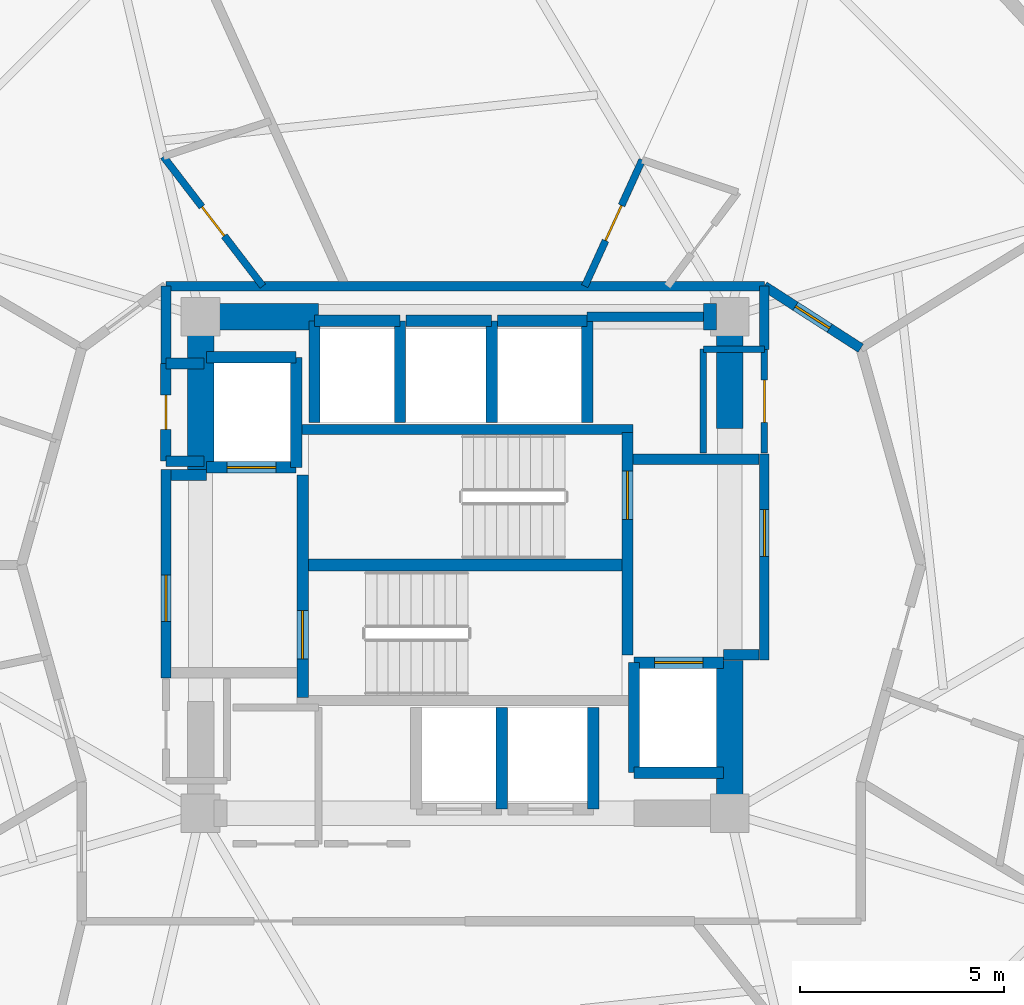
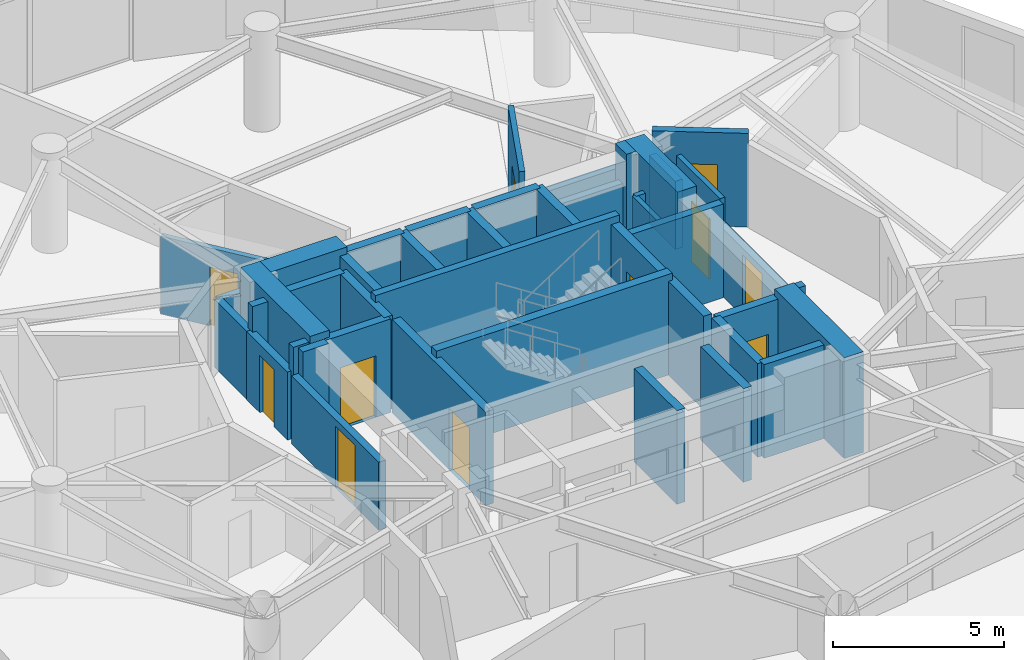
# One storey, part 17 of 21: 42 walls, 11 doors, 11 openings.
"""IFC4 building model written with IfcOpenShell, lengths in metres."""

from ifc_helpers import new_model, si_unit, direction, frame, frame_2d, origin, place, context, subcontext, project, spatial, rectangle, extrude, material, layer, layer_set, type_object, element, fill, save


model = new_model("IFC4")

# Units and contexts
model_context = context("Model", 3, precision=1e-05, world=origin(), true_north=direction((0.0, 1.0)))
body_context = subcontext(model_context, "Body", "Model", "MODEL_VIEW")
ifc_project = project(units=[si_unit("LENGTHUNIT", "METRE"), si_unit("AREAUNIT", "SQUARE_METRE"), si_unit("VOLUMEUNIT", "CUBIC_METRE"), si_unit("PLANEANGLEUNIT", "RADIAN"), si_unit("MASSUNIT", "GRAM", prefix="KILO")], contexts=[model_context])

# Site, building, storey
site_placement = place(None, origin())
site = spatial("IfcSite", under=ifc_project, at=site_placement, CompositionType="ELEMENT")
building_placement = place(site_placement, origin())
building = spatial("IfcBuilding", under=site, at=building_placement, Name="Solvirekh Grand Hotel", CompositionType="ELEMENT")
storey_placement = place(building_placement, frame((0.0, 0.0, 131.39990234375)))
storey = spatial("IfcBuildingStorey", under=building, at=storey_placement, Name="L33", CompositionType="ELEMENT", Elevation=131.39990234375)

# Walls
ifc_material_1 = material(Name="Concrete C50/60", Category="concrete")
ifc_layer_1 = layer(ifc_material_1, 0.35009765625)
ifc_layer_set_1 = layer_set([ifc_layer_1], Name="Concrete C50/60")
wall_type_1 = type_object("IfcWallType", Name="CoreDivWall_RC350", PredefinedType="SOLIDWALL", material=ifc_layer_set_1)
wall_1_placement = place(storey_placement, frame((-4.1298828125, 3.324951171875, 0.0), z_axis=(0.0, 0.0, 1.0), x_axis=(1.0, 0.0, 0.0)))
element("IfcWall", 1, at=wall_1_placement, inside=storey, type_object=wall_type_1, Name="L33 core stair box wall ST-N", PredefinedType="SOLIDWALL", context=body_context, shape_type="SweptSolid", body=[
    extrude(rectangle(XDim=8.259765625, YDim=0.25, at=frame_2d((4.1298828125, 0.0))), origin(), (0.0, 0.0, 1.0), 3.60009765625),
])
ifc_material_2 = material(Name="Concrete C40/50", Category="concrete")
ifc_layer_2 = layer(ifc_material_2, 0.280029296875)
ifc_layer_set_2 = layer_set([ifc_layer_2], Name="Concrete C40/50")
wall_type_2 = type_object("IfcWallType", Name="CoreShaftWall_RC280", PredefinedType="SOLIDWALL", material=ifc_layer_set_2)
for number, where, z_axis, x_axis, name in (
    (2, (0.89990234375, -6.0, 0.0), (0.0, 0.0, 1.0), (0.0, 1.0, 0.0), "L33 MP-1 hoistway E wall"),
    (3, (3.14990234375, -6.0, 0.0), (0.0, 0.0, 1.0), (0.0, 1.0, 0.0), "L33 MP-2 hoistway E wall"),
):
    element("IfcWall", number, at=place(storey_placement, frame(where, z_axis=z_axis, x_axis=x_axis)), inside=storey, type_object=wall_type_2, Name=name, PredefinedType="SOLIDWALL", context=body_context, shape_type="SweptSolid", body=[
        extrude(rectangle(XDim=2.5, YDim=0.280029296875, at=frame_2d((1.25, 0.0))), origin(), (0.0, 0.0, 1.0), 3.35009765625),
    ])
wall_2_placement = place(storey_placement, frame((-1.60009765625, 6.0, 0.0), z_axis=(0.0, 0.0, 1.0), x_axis=(-1.0, 0.0, 0.0)))
element("IfcWall", 4, at=wall_2_placement, inside=storey, type_object=wall_type_2, Name="L33 HP-1 hoistway N wall", PredefinedType="SOLIDWALL", context=body_context, shape_type="SweptSolid", body=[
    extrude(rectangle(XDim=2.099853515625, YDim=0.280029296875, at=frame_2d((1.0498046875, 0.0))), origin(), (0.0, 0.0, 1.0), 3.35009765625),
])
for number, where, z_axis, x_axis, name in (
    (5, (-3.699951171875, 6.0, 0.0), (0.0, 0.0, 1.0), (0.0, -1.0, 0.0), "L33 HP-1 hoistway W wall"),
    (6, (-1.60009765625, 3.5, 0.0), (0.0, 0.0, 1.0), (0.0, 1.0, 0.0), "L33 HP-1 hoistway E wall"),
):
    element("IfcWall", number, at=place(storey_placement, frame(where, z_axis=z_axis, x_axis=x_axis)), inside=storey, type_object=wall_type_2, Name=name, PredefinedType="SOLIDWALL", context=body_context, shape_type="SweptSolid", body=[
        extrude(rectangle(XDim=2.5, YDim=0.280029296875, at=frame_2d((1.25, 0.0))), origin(), (0.0, 0.0, 1.0), 3.35009765625),
    ])
wall_3_placement = place(storey_placement, frame((0.64990234375, 6.0, 0.0), z_axis=(0.0, 0.0, 1.0), x_axis=(-1.0, 0.0, 0.0)))
element("IfcWall", 7, at=wall_3_placement, inside=storey, type_object=wall_type_2, Name="L33 HP-2 hoistway N wall", PredefinedType="SOLIDWALL", context=body_context, shape_type="SweptSolid", body=[
    extrude(rectangle(XDim=2.099853515625, YDim=0.280029296875, at=frame_2d((1.0498046875, 0.0))), origin(), (0.0, 0.0, 1.0), 3.35009765625),
])
wall_4_placement = place(storey_placement, frame((0.64990234375, 3.5, 0.0), z_axis=(0.0, 0.0, 1.0), x_axis=(0.0, 1.0, 0.0)))
element("IfcWall", 8, at=wall_4_placement, inside=storey, type_object=wall_type_2, Name="L33 HP-2 hoistway E wall", PredefinedType="SOLIDWALL", context=body_context, shape_type="SweptSolid", body=[
    extrude(rectangle(XDim=2.5, YDim=0.280029296875, at=frame_2d((1.25, 0.0))), origin(), (0.0, 0.0, 1.0), 3.35009765625),
])
wall_5_placement = place(storey_placement, frame((3.0, 6.0, 0.0), z_axis=(0.0, 0.0, 1.0), x_axis=(-1.0, 0.0, 0.0)))
element("IfcWall", 9, at=wall_5_placement, inside=storey, type_object=wall_type_2, Name="L33 EX-1 hoistway N wall", PredefinedType="SOLIDWALL", context=body_context, shape_type="SweptSolid", body=[
    extrude(rectangle(XDim=2.199951171875, YDim=0.280029296875, at=frame_2d((1.10009765625, 0.0))), origin(), (0.0, 0.0, 1.0), 3.35009765625),
])
wall_6_placement = place(storey_placement, frame((3.0, 3.5, 0.0), z_axis=(0.0, 0.0, 1.0), x_axis=(0.0, 1.0, 0.0)))
element("IfcWall", 10, at=wall_6_placement, inside=storey, type_object=wall_type_2, Name="L33 EX-1 hoistway E wall", PredefinedType="SOLIDWALL", context=body_context, shape_type="SweptSolid", body=[
    extrude(rectangle(XDim=2.5, YDim=0.280029296875, at=frame_2d((1.25, 0.0))), origin(), (0.0, 0.0, 1.0), 3.35009765625),
])

# Wall, opening, door
wall_7_placement = place(storey_placement, frame((-6.35009765625, 2.39990234375, 0.0), z_axis=(0.0, 0.0, 1.0), x_axis=(1.0, 0.0, 0.0)))
wall_7 = element("IfcWall", 11, at=wall_7_placement, inside=storey, type_object=wall_type_2, Name="L33 FL-1 hoistway S wall", PredefinedType="SOLIDWALL", context=body_context, shape_type="SweptSolid", body=[
    extrude(rectangle(XDim=2.2001953125, YDim=0.280029296875, at=frame_2d((1.10009765625, 0.0))), origin(), (0.0, 0.0, 1.0), 3.35009765625),
])
opening_1_placement = place(wall_7_placement, frame((0.5, 0.0, 0.0)))
opening_1 = element("IfcOpeningElement", 12, at=opening_1_placement, cuts=wall_7, Name="Opening LD02", PredefinedType="OPENING", context=body_context, shape_type="SweptSolid", body=[
    extrude(rectangle(XDim=1.199951171875, YDim=2.199951171875, at=frame_2d((0.60009765625, 1.10009765625))), frame((0.0, 0.14990234375, 0.0), z_axis=(0.0, -1.0, 0.0), x_axis=(1.0, 0.0, 0.0)), (0.0, 0.0, 1.0), 0.300048828125),
])
ifc_material_3 = material(Name="Fire-Rated Steel Door Assembly", Category="steel")
door_type_1 = type_object("IfcDoorType", Name="Door_LiftFF_1200X2200", OperationType="SLIDING_TO_LEFT", PredefinedType="DOOR", material=ifc_material_3)
door_1_placement = place(opening_1_placement, origin())
door_1 = element("IfcDoor", 13, at=door_1_placement, inside=storey, type_object=door_type_1, Name="L33 FL-1 sliding lift landing door", OperationType="SLIDING_TO_LEFT", OverallHeight=2.199951171875, OverallWidth=1.199951171875, PredefinedType="DOOR", context=body_context, shape_type="SweptSolid", body=[
    extrude(rectangle(XDim=1.199951171875, YDim=2.199951171875, at=frame_2d((0.60009765625, 1.10009765625))), frame((0.0, 0.02490234375, 0.0), z_axis=(0.0, -1.0, 0.0), x_axis=(1.0, 0.0, 0.0)), (0.0, 0.0, 1.0), 0.050048828125),
])
fill(opening_1, door_1)

# Walls
wall_8_placement = place(storey_placement, frame((-4.14990234375, 5.10009765625, 0.0), z_axis=(0.0, 0.0, 1.0), x_axis=(-1.0, 0.0, 0.0)))
element("IfcWall", 14, at=wall_8_placement, inside=storey, type_object=wall_type_2, Name="L33 FL-1 hoistway N wall", PredefinedType="SOLIDWALL", context=body_context, shape_type="SweptSolid", body=[
    extrude(rectangle(XDim=2.2001953125, YDim=0.280029296875, at=frame_2d((1.10009765625, 0.0))), origin(), (0.0, 0.0, 1.0), 3.35009765625),
])
wall_9_placement = place(storey_placement, frame((-4.14990234375, 2.39990234375, 0.0), z_axis=(0.0, 0.0, 1.0), x_axis=(0.0, 1.0, 0.0)))
element("IfcWall", 15, at=wall_9_placement, inside=storey, type_object=wall_type_2, Name="L33 FL-1 hoistway E wall", PredefinedType="SOLIDWALL", context=body_context, shape_type="SweptSolid", body=[
    extrude(rectangle(XDim=2.7001953125, YDim=0.280029296875, at=frame_2d((1.35009765625, 0.0))), origin(), (0.0, 0.0, 1.0), 3.35009765625),
])
wall_10_placement = place(storey_placement, frame((4.14990234375, -5.10009765625, 0.0), z_axis=(0.0, 0.0, 1.0), x_axis=(1.0, 0.0, 0.0)))
element("IfcWall", 16, at=wall_10_placement, inside=storey, type_object=wall_type_2, Name="L33 FL-2 hoistway S wall", PredefinedType="SOLIDWALL", context=body_context, shape_type="SweptSolid", body=[
    extrude(rectangle(XDim=2.2001953125, YDim=0.280029296875, at=frame_2d((1.10009765625, 0.0))), origin(), (0.0, 0.0, 1.0), 3.35009765625),
])

# Wall, opening, door
wall_11_placement = place(storey_placement, frame((6.35009765625, -2.39990234375, 0.0), z_axis=(0.0, 0.0, 1.0), x_axis=(-1.0, 0.0, 0.0)))
wall_11 = element("IfcWall", 17, at=wall_11_placement, inside=storey, type_object=wall_type_2, Name="L33 FL-2 hoistway N wall", PredefinedType="SOLIDWALL", context=body_context, shape_type="SweptSolid", body=[
    extrude(rectangle(XDim=2.2001953125, YDim=0.280029296875, at=frame_2d((1.10009765625, 0.0))), origin(), (0.0, 0.0, 1.0), 3.35009765625),
])
opening_2_placement = place(wall_11_placement, frame((0.5, 0.0, 0.0)))
opening_2 = element("IfcOpeningElement", 18, at=opening_2_placement, cuts=wall_11, Name="Opening LD02", PredefinedType="OPENING", context=body_context, shape_type="SweptSolid", body=[
    extrude(rectangle(XDim=1.199951171875, YDim=2.199951171875, at=frame_2d((0.60009765625, 1.10009765625))), frame((0.0, 0.14990234375, 0.0), z_axis=(0.0, -1.0, 0.0), x_axis=(1.0, 0.0, 0.0)), (0.0, 0.0, 1.0), 0.300048828125),
])
door_2_placement = place(opening_2_placement, origin())
door_2 = element("IfcDoor", 19, at=door_2_placement, inside=storey, type_object=door_type_1, Name="L33 FL-2 sliding lift landing door", OperationType="SLIDING_TO_LEFT", OverallHeight=2.199951171875, OverallWidth=1.199951171875, PredefinedType="DOOR", context=body_context, shape_type="SweptSolid", body=[
    extrude(rectangle(XDim=1.199951171875, YDim=2.199951171875, at=frame_2d((0.60009765625, 1.10009765625))), frame((0.0, 0.02490234375, 0.0), z_axis=(0.0, -1.0, 0.0), x_axis=(1.0, 0.0, 0.0)), (0.0, 0.0, 1.0), 0.050048828125),
])
fill(opening_2, door_2)

# Wall
wall_12_placement = place(storey_placement, frame((4.14990234375, -2.39990234375, 0.0), z_axis=(0.0, 0.0, 1.0), x_axis=(0.0, -1.0, 0.0)))
element("IfcWall", 20, at=wall_12_placement, inside=storey, type_object=wall_type_2, Name="L33 FL-2 hoistway W wall", PredefinedType="SOLIDWALL", context=body_context, shape_type="SweptSolid", body=[
    extrude(rectangle(XDim=2.7001953125, YDim=0.280029296875, at=frame_2d((1.35009765625, 0.0))), origin(), (0.0, 0.0, 1.0), 3.35009765625),
])

# Wall, opening, door
wall_13_placement = place(storey_placement, frame((-3.989990234375, -3.25, 0.0), z_axis=(0.0, 0.0, 1.0), x_axis=(0.0, 1.0, 0.0)))
wall_13 = element("IfcWall", 21, at=wall_13_placement, inside=storey, type_object=wall_type_2, Name="L33 west stair landing enclosure wall", PredefinedType="SOLIDWALL", context=body_context, shape_type="SweptSolid", body=[
    extrude(rectangle(XDim=5.4599609375, YDim=0.280029296875, at=frame_2d((2.72998046875, 0.0))), origin(), (0.0, 0.0, 1.0), 3.35009765625),
])
opening_3_placement = place(wall_13_placement, frame((0.93701171875, 0.0, 0.0)))
opening_3 = element("IfcOpeningElement", 22, at=opening_3_placement, cuts=wall_13, Name="Opening D05", PredefinedType="OPENING", context=body_context, shape_type="SweptSolid", body=[
    extrude(rectangle(XDim=1.199951171875, YDim=2.199951171875, at=frame_2d((0.60009765625, 1.10009765625))), frame((0.0, 0.14990234375, 0.0), z_axis=(0.0, -1.0, 0.0), x_axis=(1.0, 0.0, 0.0)), (0.0, 0.0, 1.0), 0.300048828125),
])
door_type_2 = type_object("IfcDoorType", Name="Door_StairCore_1200X2200", OperationType="NOTDEFINED", PredefinedType="DOOR", material=ifc_material_3)
door_3_placement = place(opening_3_placement, origin())
door_3 = element("IfcDoor", 23, at=door_3_placement, inside=storey, type_object=door_type_2, Name="L33 exit stair ST-1 fire door", OperationType="SINGLE_SWING_LEFT", OverallHeight=2.199951171875, OverallWidth=1.199951171875, PredefinedType="DOOR", context=body_context, shape_type="SweptSolid", body=[
    extrude(rectangle(XDim=1.199951171875, YDim=2.199951171875, at=frame_2d((0.60009765625, 1.10009765625))), frame((0.0, 0.02490234375, 0.0), z_axis=(0.0, -1.0, 0.0), x_axis=(1.0, 0.0, 0.0)), (0.0, 0.0, 1.0), 0.050048828125),
])
fill(opening_3, door_3)

wall_14_placement = place(storey_placement, frame((3.989990234375, -2.2099609375, 0.0), z_axis=(0.0, 0.0, 1.0), x_axis=(0.0, 1.0, 0.0)))
wall_14 = element("IfcWall", 24, at=wall_14_placement, inside=storey, type_object=wall_type_2, Name="L33 east stair landing enclosure wall", PredefinedType="SOLIDWALL", context=body_context, shape_type="SweptSolid", body=[
    extrude(rectangle(XDim=5.4599609375, YDim=0.280029296875, at=frame_2d((2.72998046875, 0.0))), origin(), (0.0, 0.0, 1.0), 3.35009765625),
])
opening_4_placement = place(wall_14_placement, frame((3.322998046875, 0.0, 0.0)))
opening_4 = element("IfcOpeningElement", 25, at=opening_4_placement, cuts=wall_14, Name="Opening D05", PredefinedType="OPENING", context=body_context, shape_type="SweptSolid", body=[
    extrude(rectangle(XDim=1.199951171875, YDim=2.199951171875, at=frame_2d((0.60009765625, 1.10009765625))), frame((0.0, 0.14990234375, 0.0), z_axis=(0.0, -1.0, 0.0), x_axis=(1.0, 0.0, 0.0)), (0.0, 0.0, 1.0), 0.300048828125),
])
door_4_placement = place(opening_4_placement, origin())
door_4 = element("IfcDoor", 26, at=door_4_placement, inside=storey, type_object=door_type_2, Name="L33 exit stair ST-2 fire door", OperationType="SINGLE_SWING_RIGHT", OverallHeight=2.199951171875, OverallWidth=1.199951171875, PredefinedType="DOOR", context=body_context, shape_type="SweptSolid", body=[
    extrude(rectangle(XDim=1.199951171875, YDim=2.199951171875, at=frame_2d((0.60009765625, 1.10009765625))), frame((0.0, 0.02490234375, 0.0), z_axis=(0.0, -1.0, 0.0), x_axis=(1.0, 0.0, 0.0)), (0.0, 0.0, 1.0), 0.050048828125),
])
fill(opening_4, door_4)

# Walls
ifc_layer_3 = layer(ifc_material_1, 0.64990234375)
ifc_layer_set_3 = layer_set([ifc_layer_3], Name="Concrete C50/60")
wall_type_3 = type_object("IfcWallType", Name="CoreWall_RC650", PredefinedType="SHEAR", material=ifc_layer_set_3)
wall_15_placement = place(storey_placement, frame((-3.989990234375, 0.0, 0.0), z_axis=(0.0, 0.0, 1.0), x_axis=(1.0, 0.0, 0.0)))
element("IfcWall", 27, at=wall_15_placement, inside=storey, type_object=wall_type_3, Name="L33 central stair-spine shear wall", PredefinedType="SHEAR", context=body_context, shape_type="SweptSolid", body=[
    extrude(rectangle(XDim=7.97998046875, YDim=0.300048828125, at=frame_2d((3.989990234375, 0.0))), origin(), (0.0, 0.0, 1.0), 3.60009765625),
])
wall_16_placement = place(storey_placement, frame((-6.175048828125, 6.10009765625, 0.0), z_axis=(0.0, 0.0, 1.0), x_axis=(1.0, 0.0, 0.0)))
element("IfcWall", 28, at=wall_16_placement, inside=storey, type_object=wall_type_3, Name="L33 core corner shear wall NW-N", PredefinedType="SHEAR", context=body_context, shape_type="SweptSolid", body=[
    extrude(rectangle(XDim=2.574951171875, YDim=0.64990234375, at=frame_2d((1.28759765625, 0.0))), origin(), (0.0, 0.0, 1.0), 3.60009765625),
])
wall_17_placement = place(storey_placement, frame((5.85009765625, 6.10009765625, 0.0), z_axis=(0.0, 0.0, 1.0), x_axis=(1.0, 0.0, 0.0)))
element("IfcWall", 29, at=wall_17_placement, inside=storey, type_object=wall_type_3, Name="L33 core corner shear wall NE-N", PredefinedType="SHEAR", context=body_context, shape_type="SweptSolid", body=[
    extrude(rectangle(XDim=0.324951171875, YDim=0.64990234375, at=frame_2d((0.16259765625, 0.0))), origin(), (0.0, 0.0, 1.0), 3.60009765625),
])
for number, where, z_axis, x_axis, name in (
    (30, (-6.5, 2.35009765625, 0.0), (0.0, 0.0, 1.0), (0.0, 1.0, 0.0), "L33 core corner shear wall WN-W"),
    (31, (6.5, -6.425048828125, 0.0), (0.0, 0.0, 1.0), (0.0, 1.0, 0.0), "L33 core corner shear wall ES-E"),
):
    element("IfcWall", number, at=place(storey_placement, frame(where, z_axis=z_axis, x_axis=x_axis)), inside=storey, type_object=wall_type_3, Name=name, PredefinedType="SHEAR", context=body_context, shape_type="SweptSolid", body=[
        extrude(rectangle(XDim=4.074951171875, YDim=0.64990234375, at=frame_2d((2.03759765625, 0.0))), origin(), (0.0, 0.0, 1.0), 3.60009765625),
    ])
wall_18_placement = place(storey_placement, frame((6.5, 3.35009765625, 0.0), z_axis=(0.0, 0.0, 1.0), x_axis=(0.0, 1.0, 0.0)))
element("IfcWall", 32, at=wall_18_placement, inside=storey, type_object=wall_type_3, Name="L33 core corner shear wall EN-E", PredefinedType="SHEAR", context=body_context, shape_type="SweptSolid", body=[
    extrude(rectangle(XDim=3.074951171875, YDim=0.64990234375, at=frame_2d((1.53759765625, 0.0))), origin(), (0.0, 0.0, 1.0), 3.60009765625),
])

# Wall, opening, door
ifc_material_4 = material(Name="Acoustic Gypsum Partition Assembly")
ifc_layer_4 = layer(ifc_material_4, 0.1650390625)
ifc_layer_set_4 = layer_set([ifc_layer_4], Name="Acoustic Gypsum Partition Assembly")
wall_type_4 = type_object("IfcWallType", Name="Part_BOH_165", PredefinedType="PARTITIONING", material=ifc_layer_set_4)
wall_19_placement = place(storey_placement, frame((7.35009765625, 2.75, 0.0), z_axis=(0.0, 0.0, 1.0), x_axis=(0.0, 1.0, 0.0)))
wall_19 = element("IfcWall", 33, at=wall_19_placement, inside=storey, type_object=wall_type_4, Name="L33 L33 Telecom Distribution Room wall 2", PredefinedType="PARTITIONING", context=body_context, shape_type="SweptSolid", body=[
    extrude(rectangle(XDim=2.550048828125, YDim=0.1650390625, at=frame_2d((1.27490234375, 0.0))), origin(), (0.0, 0.0, 1.0), 3.35009765625),
])
opening_5_placement = place(wall_19_placement, frame((0.75, 0.0, 0.0)))
opening_5 = element("IfcOpeningElement", 34, at=opening_5_placement, cuts=wall_19, Name="Opening D12", PredefinedType="OPENING", context=body_context, shape_type="SweptSolid", body=[
    extrude(rectangle(XDim=1.050048828125, YDim=2.14990234375, at=frame_2d((0.52490234375, 1.074951171875))), frame((0.0, 0.092529296875, 0.0), z_axis=(0.0, -1.0, 0.0), x_axis=(1.0, 0.0, 0.0)), (0.0, 0.0, 1.0), 0.18505859375),
])
door_type_3 = type_object("IfcDoorType", Name="Door_PlantBOH_1050X2150", OperationType="NOTDEFINED", PredefinedType="DOOR", material=ifc_material_3)
door_5_placement = place(opening_5_placement, origin())
door_5 = element("IfcDoor", 35, at=door_5_placement, inside=storey, type_object=door_type_3, Name="L33 L33 Telecom Distribution Room door", OperationType="SINGLE_SWING_LEFT", OverallHeight=2.14990234375, OverallWidth=1.050048828125, PredefinedType="DOOR", context=body_context, shape_type="SweptSolid", body=[
    extrude(rectangle(XDim=1.050048828125, YDim=2.14990234375, at=frame_2d((0.52490234375, 1.074951171875))), frame((0.0, 0.02490234375, 0.0), z_axis=(0.0, -1.0, 0.0), x_axis=(1.0, 0.0, 0.0)), (0.0, 0.0, 1.0), 0.050048828125),
])
fill(opening_5, door_5)

# Walls
wall_20_placement = place(storey_placement, frame((7.35009765625, 5.300048828125, 0.0), z_axis=(0.0, 0.0, 1.0), x_axis=(-1.0, 0.0, 0.0)))
element("IfcWall", 36, at=wall_20_placement, inside=storey, type_object=wall_type_4, Name="L33 L33 Telecom Distribution Room wall 3", PredefinedType="PARTITIONING", context=body_context, shape_type="SweptSolid", body=[
    extrude(rectangle(XDim=1.5, YDim=0.1650390625, at=frame_2d((0.75, 0.0))), origin(), (0.0, 0.0, 1.0), 2.43505859375),
])
wall_21_placement = place(storey_placement, frame((5.85009765625, 5.300048828125, 0.0), z_axis=(0.0, 0.0, 1.0), x_axis=(0.0, -1.0, 0.0)))
element("IfcWall", 37, at=wall_21_placement, inside=storey, type_object=wall_type_4, Name="L33 L33 Telecom Distribution Room wall 4", PredefinedType="PARTITIONING", context=body_context, shape_type="SweptSolid", body=[
    extrude(rectangle(XDim=2.550048828125, YDim=0.1650390625, at=frame_2d((1.27490234375, 0.0))), origin(), (0.0, 0.0, 1.0), 2.43505859375),
])

# Wall, opening, door
ifc_layer_5 = layer(ifc_material_4, 0.239990234375)
ifc_layer_set_5 = layer_set([ifc_layer_5], Name="Acoustic Gypsum Partition Assembly")
wall_type_5 = type_object("IfcWallType", Name="Part_Corridor_240", PredefinedType="PARTITIONING", material=ifc_layer_set_5)
wall_22_placement = place(storey_placement, frame((-7.35009765625, -2.780029296875, 0.0), z_axis=(0.0, 0.0, 1.0), x_axis=(0.0, 1.0, 0.0)))
wall_22 = element("IfcWall", 38, at=wall_22_placement, inside=storey, type_object=wall_type_5, Name="L33 west firefighting lobby smoke screen wall", PredefinedType="PARTITIONING", context=body_context, shape_type="SweptSolid", body=[
    extrude(rectangle(XDim=5.1201171875, YDim=0.239990234375, at=frame_2d((2.56005859375, 0.0))), origin(), (0.0, 0.0, 1.0), 2.43505859375),
])
opening_6_placement = place(wall_22_placement, frame((1.388916015625, 0.0, 0.0)))
opening_6 = element("IfcOpeningElement", 39, at=opening_6_placement, cuts=wall_22, Name="Opening D06", PredefinedType="OPENING", context=body_context, shape_type="SweptSolid", body=[
    extrude(rectangle(XDim=1.14990234375, YDim=2.199951171875, at=frame_2d((0.574951171875, 1.10009765625))), frame((0.0, 0.1298828125, 0.0), z_axis=(0.0, -1.0, 0.0), x_axis=(1.0, 0.0, 0.0)), (0.0, 0.0, 1.0), 0.260009765625),
])
door_type_4 = type_object("IfcDoorType", Name="Door_FFLobby_1150X2200", OperationType="NOTDEFINED", PredefinedType="DOOR", material=ifc_material_3)
door_6_placement = place(opening_6_placement, origin())
door_6 = element("IfcDoor", 40, at=door_6_placement, inside=storey, type_object=door_type_4, Name="L33 west firefighting lobby smoke door", OperationType="SINGLE_SWING_LEFT", OverallHeight=2.199951171875, OverallWidth=1.14990234375, PredefinedType="DOOR", context=body_context, shape_type="SweptSolid", body=[
    extrude(rectangle(XDim=1.14990234375, YDim=2.199951171875, at=frame_2d((0.574951171875, 1.10009765625))), frame((0.0, 0.02490234375, 0.0), z_axis=(0.0, -1.0, 0.0), x_axis=(1.0, 0.0, 0.0)), (0.0, 0.0, 1.0), 0.050048828125),
])
fill(opening_6, door_6)

wall_23_placement = place(storey_placement, frame((7.35009765625, -2.340087890625, 0.0), z_axis=(0.0, 0.0, 1.0), x_axis=(0.0, 1.0, 0.0)))
wall_23 = element("IfcWall", 41, at=wall_23_placement, inside=storey, type_object=wall_type_5, Name="L33 east firefighting lobby smoke screen wall", PredefinedType="PARTITIONING", context=body_context, shape_type="SweptSolid", body=[
    extrude(rectangle(XDim=5.070068359375, YDim=0.239990234375, at=frame_2d((2.53515625, 0.0))), origin(), (0.0, 0.0, 1.0), 2.43505859375),
])
opening_7_placement = place(wall_23_placement, frame((2.548095703125, 0.0, 0.0)))
opening_7 = element("IfcOpeningElement", 42, at=opening_7_placement, cuts=wall_23, Name="Opening D06", PredefinedType="OPENING", context=body_context, shape_type="SweptSolid", body=[
    extrude(rectangle(XDim=1.14990234375, YDim=2.199951171875, at=frame_2d((0.574951171875, 1.10009765625))), frame((0.0, 0.1298828125, 0.0), z_axis=(0.0, -1.0, 0.0), x_axis=(1.0, 0.0, 0.0)), (0.0, 0.0, 1.0), 0.260009765625),
])
door_7_placement = place(opening_7_placement, origin())
door_7 = element("IfcDoor", 43, at=door_7_placement, inside=storey, type_object=door_type_4, Name="L33 east firefighting lobby smoke door", OperationType="SINGLE_SWING_RIGHT", OverallHeight=2.199951171875, OverallWidth=1.14990234375, PredefinedType="DOOR", context=body_context, shape_type="SweptSolid", body=[
    extrude(rectangle(XDim=1.14990234375, YDim=2.199951171875, at=frame_2d((0.574951171875, 1.10009765625))), frame((0.0, 0.02490234375, 0.0), z_axis=(0.0, -1.0, 0.0), x_axis=(1.0, 0.0, 0.0)), (0.0, 0.0, 1.0), 0.050048828125),
])
fill(opening_7, door_7)

# Walls
wall_24_placement = place(storey_placement, frame((-7.35009765625, 6.85009765625, 0.0), z_axis=(0.0, 0.0, 1.0), x_axis=(1.0, 0.0, 0.0)))
element("IfcWall", 44, at=wall_24_placement, inside=storey, type_object=wall_type_5, Name="L33 north core backing partition", PredefinedType="PARTITIONING", context=body_context, shape_type="SweptSolid", body=[
    extrude(rectangle(XDim=14.7001953125, YDim=0.239990234375, at=frame_2d((7.35009765625, 0.0))), origin(), (0.0, 0.0, 1.0), 2.43505859375),
])
wall_25_placement = place(storey_placement, frame((-7.35009765625, 4.949951171875, 0.0), z_axis=(0.0, 0.0, 1.0), x_axis=(0.0, 1.0, 0.0)))
element("IfcWall", 45, at=wall_25_placement, inside=storey, type_object=wall_type_5, Name="L33 NW core cheek closure wall", PredefinedType="PARTITIONING", context=body_context, shape_type="SweptSolid", body=[
    extrude(rectangle(XDim=1.900146484375, YDim=0.239990234375, at=frame_2d((0.9501953125, 0.0))), origin(), (0.0, 0.0, 1.0), 2.43505859375),
])
wall_26_placement = place(storey_placement, frame((7.35009765625, 5.300048828125, 0.0), z_axis=(0.0, 0.0, 1.0), x_axis=(0.0, 1.0, 0.0)))
element("IfcWall", 46, at=wall_26_placement, inside=storey, type_object=wall_type_5, Name="L33 NE core cheek closure wall", PredefinedType="PARTITIONING", context=body_context, shape_type="SweptSolid", body=[
    extrude(rectangle(XDim=1.550048828125, YDim=0.239990234375, at=frame_2d((0.77490234375, 0.0))), origin(), (0.0, 0.0, 1.0), 2.43505859375),
])
wall_27_placement = place(storey_placement, frame((3.0, 6.10009765625, 0.0), z_axis=(0.0, 0.0, 1.0), x_axis=(1.0, 0.0, 0.0)))
element("IfcWall", 47, at=wall_27_placement, inside=storey, type_object=wall_type_5, Name="L33 north core shaft infill wall", PredefinedType="PARTITIONING", context=body_context, shape_type="SweptSolid", body=[
    extrude(rectangle(XDim=2.85009765625, YDim=0.239990234375, at=frame_2d((1.425048828125, 0.0))), origin(), (0.0, 0.0, 1.0), 2.43505859375),
])

# Wall, opening, door
wall_28_placement = place(storey_placement, frame((7.35009765625, 6.85009765625, 0.0), z_axis=(0.0, 0.0, 1.0), x_axis=(0.840910978735, -0.541173471119, 0.0)))
wall_28 = element("IfcWall", 48, at=wall_28_placement, inside=storey, type_object=wall_type_5, Name="L33 Deluxe Guestroom 3501 entrance wall", PredefinedType="PARTITIONING", context=body_context, shape_type="SweptSolid", body=[
    extrude(rectangle(XDim=2.818115234375, YDim=0.239990234375, at=frame_2d((1.4091796875, 0.0))), origin(), (0.0, 0.0, 1.0), 3.35009765625),
])
opening_8_placement = place(wall_28_placement, frame((0.908935546875, 0.0, 0.0)))
opening_8 = element("IfcOpeningElement", 49, at=opening_8_placement, cuts=wall_28, Name="Opening D07", PredefinedType="OPENING", context=body_context, shape_type="SweptSolid", body=[
    extrude(rectangle(XDim=1.0, YDim=2.199951171875, at=frame_2d((0.5, 1.10009765625))), frame((0.0, 0.1298828125, 0.0), z_axis=(0.0, -1.0, 0.0), x_axis=(1.0, 0.0, 0.0)), (0.0, 0.0, 1.0), 0.260009765625),
])
door_type_5 = type_object("IfcDoorType", Name="Door_GuestEntry_1000X2200", OperationType="NOTDEFINED", PredefinedType="DOOR", material=ifc_material_3)
door_8_placement = place(opening_8_placement, origin())
door_8 = element("IfcDoor", 50, at=door_8_placement, inside=storey, type_object=door_type_5, Name="L33 Deluxe Guestroom 3501 entrance door", OperationType="SINGLE_SWING_LEFT", OverallHeight=2.199951171875, OverallWidth=1.0, PredefinedType="DOOR", context=body_context, shape_type="SweptSolid", body=[
    extrude(rectangle(XDim=1.0, YDim=2.199951171875, at=frame_2d((0.5, 1.10009765625))), frame((0.0, 0.02490234375, 0.0), z_axis=(0.0, -1.0, 0.0), x_axis=(1.0, 0.0, 0.0)), (0.0, 0.0, 1.0), 0.050048828125),
])
fill(opening_8, door_8)

# Walls
ifc_layer_6 = layer(ifc_material_4, 0.260009765625)
ifc_layer_set_6 = layer_set([ifc_layer_6], Name="Acoustic Gypsum Partition Assembly")
wall_type_6 = type_object("IfcWallType", Name="Part_LobbyFF_260", PredefinedType="PARTITIONING", material=ifc_layer_set_6)
for number, where, z_axis, x_axis, name in (
    (51, (-7.22509765625, 2.2099609375, 0.0), (0.0, 0.0, 1.0), (1.0, 0.0, 0.0), "L33 west firefighting lobby NW cheek"),
    (52, (6.35009765625, -2.2099609375, 0.0), (0.0, 0.0, 1.0), (1.0, 0.0, 0.0), "L33 east firefighting lobby SE cheek"),
):
    element("IfcWall", number, at=place(storey_placement, frame(where, z_axis=z_axis, x_axis=x_axis)), inside=storey, type_object=wall_type_6, Name=name, PredefinedType="PARTITIONING", context=body_context, shape_type="SweptSolid", body=[
        extrude(rectangle(XDim=0.875, YDim=0.260009765625, at=frame_2d((0.4375, 0.0))), origin(), (0.0, 0.0, 1.0), 3.35009765625),
    ])
wall_29_placement = place(storey_placement, frame((4.1298828125, 2.60009765625, 0.0), z_axis=(0.0, 0.0, 1.0), x_axis=(1.0, 0.0, 0.0)))
element("IfcWall", 53, at=wall_29_placement, inside=storey, type_object=wall_type_6, Name="L33 east firefighting lobby north partition", PredefinedType="PARTITIONING", context=body_context, shape_type="SweptSolid", body=[
    extrude(rectangle(XDim=3.09521484375, YDim=0.260009765625, at=frame_2d((1.547607421875, 0.0))), origin(), (0.0, 0.0, 1.0), 3.35009765625),
])
for number, where, z_axis, x_axis, name in (
    (54, (-7.35009765625, 4.949951171875, 0.0), (0.0, 0.0, 1.0), (1.0, 0.0, 0.0), "L33 NW telecom metering cupboard north wall"),
    (55, (-7.35009765625, 2.550048828125, 0.0), (0.0, 0.0, 1.0), (1.0, 0.0, 0.0), "L33 NW telecom metering cupboard south wall"),
):
    element("IfcWall", number, at=place(storey_placement, frame(where, z_axis=z_axis, x_axis=x_axis)), inside=storey, type_object=wall_type_6, Name=name, PredefinedType="PARTITIONING", context=body_context, shape_type="SweptSolid", body=[
        extrude(rectangle(XDim=0.93017578125, YDim=0.260009765625, at=frame_2d((0.465087890625, 0.0))), origin(), (0.0, 0.0, 1.0), 3.35009765625),
    ])

# Wall, opening, door
wall_30_placement = place(storey_placement, frame((-7.35009765625, 2.550048828125, 0.0), z_axis=(0.0, 0.0, 1.0), x_axis=(0.0, 1.0, 0.0)))
wall_30 = element("IfcWall", 56, at=wall_30_placement, inside=storey, type_object=wall_type_6, Name="L33 NW telecom metering cupboard access wall", PredefinedType="PARTITIONING", context=body_context, shape_type="SweptSolid", body=[
    extrude(rectangle(XDim=2.39990234375, YDim=0.260009765625, at=frame_2d((1.199951171875, 0.0))), origin(), (0.0, 0.0, 1.0), 2.43505859375),
])
opening_9_placement = place(wall_30_placement, frame((0.77490234375, 0.0, 0.0)))
opening_9 = element("IfcOpeningElement", 57, at=opening_9_placement, cuts=wall_30, Name="Opening D13", PredefinedType="OPENING", context=body_context, shape_type="SweptSolid", body=[
    extrude(rectangle(XDim=0.85009765625, YDim=2.050048828125, at=frame_2d((0.425048828125, 1.02490234375))), frame((0.0, 0.14013671875, 0.0), z_axis=(0.0, -1.0, 0.0), x_axis=(1.0, 0.0, 0.0)), (0.0, 0.0, 1.0), 0.280029296875),
])
door_type_6 = type_object("IfcDoorType", Name="Door_RiserShaft_850X2050", OperationType="NOTDEFINED", PredefinedType="DOOR", material=ifc_material_3)
door_9_placement = place(opening_9_placement, origin())
door_9 = element("IfcDoor", 58, at=door_9_placement, inside=storey, type_object=door_type_6, Name="L33 telecom metering cupboard access door", OperationType="SINGLE_SWING_LEFT", OverallHeight=2.050048828125, OverallWidth=0.85009765625, PredefinedType="DOOR", context=body_context, shape_type="SweptSolid", body=[
    extrude(rectangle(XDim=0.85009765625, YDim=2.050048828125, at=frame_2d((0.425048828125, 1.02490234375))), frame((0.0, 0.02490234375, 0.0), z_axis=(0.0, -1.0, 0.0), x_axis=(1.0, 0.0, 0.0)), (0.0, 0.0, 1.0), 0.050048828125),
])
fill(opening_9, door_9)

ifc_layer_7 = layer(ifc_material_4, 0.175048828125)
ifc_layer_set_7 = layer_set([ifc_layer_7], Name="Acoustic Gypsum Partition Assembly")
wall_type_7 = type_object("IfcWallType", Name="Plumb_Ensuite_175", PredefinedType="PLUMBINGWALL", material=ifc_layer_set_7)
wall_31_placement = place(storey_placement, frame((4.35107421875, 9.950927734375, 0.0), z_axis=(0.0, 0.0, 1.0), x_axis=(-0.414207844199, -0.910182323386, 0.0)))
wall_31 = element("IfcWall", 59, at=wall_31_placement, inside=storey, type_object=wall_type_7, Name="L33 En-suite Bathroom 3501 side plumbing wall", PredefinedType="PLUMBINGWALL", context=body_context, shape_type="SweptSolid", body=[
    extrude(rectangle(XDim=3.40673828125, YDim=0.175048828125, at=frame_2d((1.703369140625, 0.0))), origin(), (0.0, 0.0, 1.0), 3.35009765625),
])
opening_10_placement = place(wall_31_placement, frame((1.22802734375, 0.0, 0.0)))
opening_10 = element("IfcOpeningElement", 60, at=opening_10_placement, cuts=wall_31, Name="Opening D10", PredefinedType="OPENING", context=body_context, shape_type="SweptSolid", body=[
    extrude(rectangle(XDim=0.949951171875, YDim=2.10009765625, at=frame_2d((0.47509765625, 1.050048828125))), frame((0.0, 0.09765625, 0.0), z_axis=(0.0, -1.0, 0.0), x_axis=(1.0, 0.0, 0.0)), (0.0, 0.0, 1.0), 0.195068359375),
])
ifc_material_5 = material(Name="Anodized Bronze Aluminium 6063-T6", Category="aluminium")
door_type_7 = type_object("IfcDoorType", Name="Door_RoomInt_950X2100", OperationType="NOTDEFINED", PredefinedType="DOOR", material=ifc_material_5)
door_10_placement = place(opening_10_placement, origin())
door_10 = element("IfcDoor", 61, at=door_10_placement, inside=storey, type_object=door_type_7, Name="L33 Panorama Suite 3501 North Observatory Study master bedroom door", OperationType="SINGLE_SWING_RIGHT", OverallHeight=2.10009765625, OverallWidth=0.949951171875, PredefinedType="DOOR", context=body_context, shape_type="SweptSolid", body=[
    extrude(rectangle(XDim=0.949951171875, YDim=2.10009765625, at=frame_2d((0.47509765625, 1.050048828125))), frame((0.0, 0.02490234375, 0.0), z_axis=(0.0, -1.0, 0.0), x_axis=(1.0, 0.0, 0.0)), (0.0, 0.0, 1.0), 0.050048828125),
])
fill(opening_10, door_10)

wall_32_placement = place(storey_placement, frame((-7.412109375, 10.032958984375, 0.0), z_axis=(0.0, 0.0, 1.0), x_axis=(0.608890025588, -0.793254648105, 0.0)))
wall_32 = element("IfcWall", 62, at=wall_32_placement, inside=storey, type_object=wall_type_7, Name="L33 En-suite Bathroom 3502 entry plumbing wall", PredefinedType="PLUMBINGWALL", context=body_context, shape_type="SweptSolid", body=[
    extrude(rectangle(XDim=4.012451171875, YDim=0.175048828125, at=frame_2d((2.00634765625, 0.0))), origin(), (0.0, 0.0, 1.0), 2.791015625),
])
opening_11_placement = place(wall_32_placement, frame((1.555908203125, 0.0, 0.0)))
opening_11 = element("IfcOpeningElement", 63, at=opening_11_placement, cuts=wall_32, Name="Opening D09", PredefinedType="OPENING", context=body_context, shape_type="SweptSolid", body=[
    extrude(rectangle(XDim=0.89990234375, YDim=2.10009765625, at=frame_2d((0.449951171875, 1.050048828125))), frame((0.0, 0.09765625, 0.0), z_axis=(0.0, -1.0, 0.0), x_axis=(1.0, 0.0, 0.0)), (0.0, 0.0, 1.0), 0.195068359375),
])
door_type_8 = type_object("IfcDoorType", Name="Door_Ensuite_900X2100", OperationType="NOTDEFINED", PredefinedType="DOOR", material=ifc_material_5)
door_11_placement = place(opening_11_placement, origin())
door_11 = element("IfcDoor", 64, at=door_11_placement, inside=storey, type_object=door_type_8, Name="L33 En-suite Bathroom 3502 door", OperationType="SINGLE_SWING_LEFT", OverallHeight=2.10009765625, OverallWidth=0.89990234375, PredefinedType="DOOR", context=body_context, shape_type="SweptSolid", body=[
    extrude(rectangle(XDim=0.89990234375, YDim=2.10009765625, at=frame_2d((0.449951171875, 1.050048828125))), frame((0.0, 0.02490234375, 0.0), z_axis=(0.0, -1.0, 0.0), x_axis=(1.0, 0.0, 0.0)), (0.0, 0.0, 1.0), 0.050048828125),
])
fill(opening_11, door_11)

save(model, "model.ifc")
